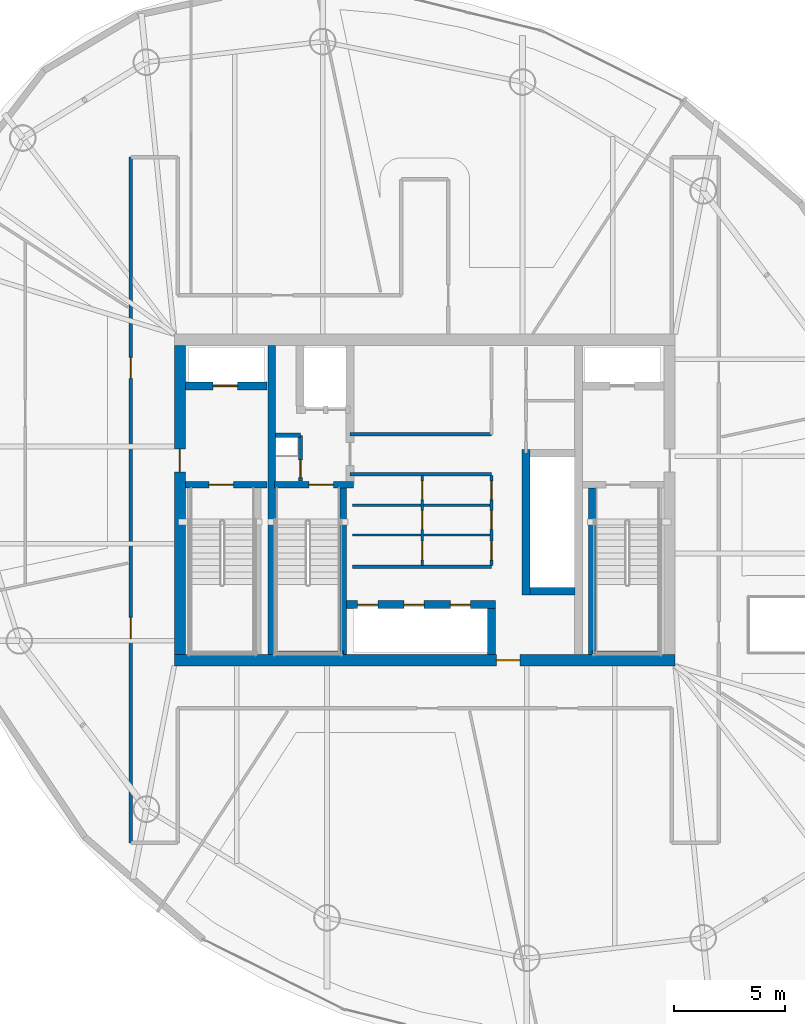
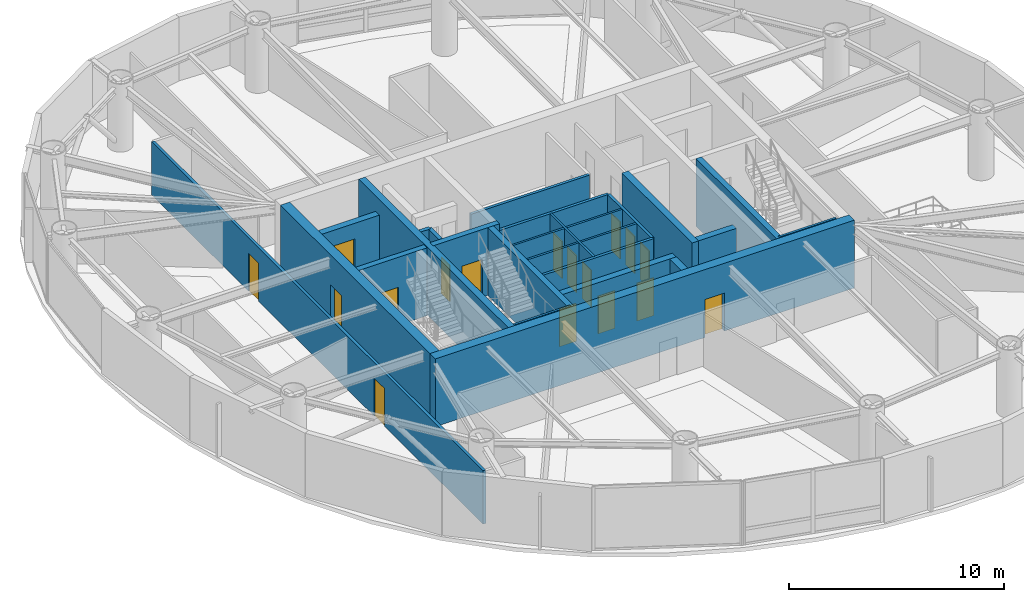
# One storey, part 16 of 22: 24 walls, 17 doors, 17 openings.
"""IFC4 building model written with IfcOpenShell, lengths in metres."""

from ifc_helpers import new_model, si_unit, direction, frame, frame_2d, origin, place, context, subcontext, project, spatial, rectangle, extrude, material, layer, layer_set, type_object, element, fill, save


model = new_model("IFC4")

# Units and contexts
model_context = context("Model", 3, precision=1e-05, world=origin(), true_north=direction((0.0, 1.0)))
body_context = subcontext(model_context, "Body", "Model", "MODEL_VIEW")
ifc_project = project(units=[si_unit("LENGTHUNIT", "METRE"), si_unit("AREAUNIT", "SQUARE_METRE"), si_unit("VOLUMEUNIT", "CUBIC_METRE"), si_unit("PLANEANGLEUNIT", "RADIAN"), si_unit("MASSUNIT", "GRAM", prefix="KILO")], contexts=[model_context])

# Site, building, storey
site_placement = place(None, origin())
site = spatial("IfcSite", under=ifc_project, at=site_placement, CompositionType="ELEMENT")
building_placement = place(site_placement, origin())
building = spatial("IfcBuilding", under=site, at=building_placement, Name="Bramvorn Convention Spire", CompositionType="ELEMENT")
storey_placement = place(building_placement, frame((0.0, 0.0, 225.10009765625)))
storey = spatial("IfcBuildingStorey", under=building, at=storey_placement, Name="L57", CompositionType="ELEMENT", Elevation=225.10009765625)

# Wall, opening, door
ifc_material_1 = material(Name="Concrete C50/60", Category="concrete")
ifc_layer_1 = layer(ifc_material_1, 0.5)
ifc_layer_set_1 = layer_set([ifc_layer_1], Name="Concrete C50/60 - WL-CORE-500")
wall_type_1 = type_object("IfcWallType", Name="WL-CORE-500", PredefinedType="SHEAR", material=ifc_layer_set_1)
wall_1_placement = place(storey_placement, frame((26.75, 18.800048828125, 0.0), z_axis=(0.0, 0.0, 1.0), x_axis=(1.0, 0.0, 0.0)))
wall_1 = element("IfcWall", 1, at=wall_1_placement, inside=storey, type_object=wall_type_1, Name="L57 South RC core shear wall", PredefinedType="SHEAR", context=body_context, shape_type="SweptSolid", body=[
    extrude(rectangle(XDim=22.5, YDim=0.5, at=frame_2d((11.25, 0.0))), origin(), (0.0, 0.0, 1.0), 3.849853515625),
])
opening_1_placement = place(wall_1_placement, frame((14.469970703125, 0.0, 0.0)))
opening_1 = element("IfcOpeningElement", 2, at=opening_1_placement, cuts=wall_1, Name="Opening DL-105", PredefinedType="OPENING", context=body_context, shape_type="SweptSolid", body=[
    extrude(rectangle(XDim=1.050048828125, YDim=2.14990234375, at=frame_2d((0.52490234375, 1.074951171875))), frame((0.0, 0.260009765625, 0.0), z_axis=(0.0, -1.0, 0.0), x_axis=(1.0, 0.0, 0.0)), (0.0, 0.0, 1.0), 0.52001953125),
])
ifc_material_2 = material(Name="Smoke-Sealed Fire Lobby Timber-Core Door", Category="wood")
door_type_1 = type_object("IfcDoorType", Name="DR-LOBBY-1050", OperationType="NOTDEFINED", PredefinedType="DOOR", material=ifc_material_2)
door_1_placement = place(opening_1_placement, origin())
door_1 = element("IfcDoor", 3, at=door_1_placement, inside=storey, type_object=door_type_1, Name="L57 South Lift Lobby fire door", OperationType="SINGLE_SWING_RIGHT", OverallHeight=2.14990234375, OverallWidth=1.050048828125, PredefinedType="DOOR", context=body_context, shape_type="SweptSolid", body=[
    extrude(rectangle(XDim=1.050048828125, YDim=2.14990234375, at=frame_2d((0.52490234375, 1.074951171875))), frame((0.0, 0.02490234375, 0.0), z_axis=(0.0, -1.0, 0.0), x_axis=(1.0, 0.0, 0.0)), (0.0, 0.0, 1.0), 0.050048828125),
])
fill(opening_1, door_1)

wall_2_placement = place(storey_placement, frame((27.0, 19.050048828125, 0.0), z_axis=(0.0, 0.0, 1.0), x_axis=(0.0, 1.0, 0.0)))
wall_2 = element("IfcWall", 4, at=wall_2_placement, inside=storey, type_object=wall_type_1, Name="L57 West RC core shear wall", PredefinedType="SHEAR", context=body_context, shape_type="SweptSolid", body=[
    extrude(rectangle(XDim=13.89990234375, YDim=0.5, at=frame_2d((6.949951171875, 0.0))), origin(), (0.0, 0.0, 1.0), 3.849853515625),
])
opening_2_placement = place(wall_2_placement, frame((8.199951171875, 0.0, 0.0)))
opening_2 = element("IfcOpeningElement", 5, at=opening_2_placement, cuts=wall_2, Name="Opening DL-105", PredefinedType="OPENING", context=body_context, shape_type="SweptSolid", body=[
    extrude(rectangle(XDim=1.050048828125, YDim=2.14990234375, at=frame_2d((0.52490234375, 1.074951171875))), frame((0.0, 0.260009765625, 0.0), z_axis=(0.0, -1.0, 0.0), x_axis=(1.0, 0.0, 0.0)), (0.0, 0.0, 1.0), 0.52001953125),
])
door_2_placement = place(opening_2_placement, origin())
door_2 = element("IfcDoor", 6, at=door_2_placement, inside=storey, type_object=door_type_1, Name="L57 West Firefighting Lobby corridor door", OperationType="SINGLE_SWING_RIGHT", OverallHeight=2.14990234375, OverallWidth=1.050048828125, PredefinedType="DOOR", context=body_context, shape_type="SweptSolid", body=[
    extrude(rectangle(XDim=1.050048828125, YDim=2.14990234375, at=frame_2d((0.52490234375, 1.074951171875))), frame((0.0, 0.02490234375, 0.0), z_axis=(0.0, -1.0, 0.0), x_axis=(1.0, 0.0, 0.0)), (0.0, 0.0, 1.0), 0.050048828125),
])
fill(opening_2, door_2)

# Wall
ifc_layer_2 = layer(ifc_material_1, 0.35009765625)
ifc_layer_set_2 = layer_set([ifc_layer_2], Name="Concrete C50/60 - WL-CORE-INT-350")
wall_type_2 = type_object("IfcWallType", Name="WL-CORE-INT-350", PredefinedType="SHEAR", material=ifc_layer_set_2)
wall_3_placement = place(storey_placement, frame((31.1298828125, 19.050048828125, 0.0), z_axis=(0.0, 0.0, 1.0), x_axis=(0.0, 1.0, 0.0)))
element("IfcWall", 7, at=wall_3_placement, inside=storey, type_object=wall_type_2, Name="L57 West internal core shear web", PredefinedType="SHEAR", context=body_context, shape_type="SweptSolid", body=[
    extrude(rectangle(XDim=13.89990234375, YDim=0.35009765625, at=frame_2d((6.949951171875, 0.0))), origin(), (0.0, 0.0, 1.0), 3.849853515625),
])

# Wall, opening, door
wall_4_placement = place(storey_placement, frame((27.25, 31.1201171875, 0.0), z_axis=(0.0, 0.0, 1.0), x_axis=(1.0, 0.0, 0.0)))
wall_4 = element("IfcWall", 8, at=wall_4_placement, inside=storey, type_object=wall_type_2, Name="L57 FE1 shaft front wall", PredefinedType="SHEAR", context=body_context, shape_type="SweptSolid", body=[
    extrude(rectangle(XDim=3.669921875, YDim=0.35009765625, at=frame_2d((1.8349609375, 0.0))), origin(), (0.0, 0.0, 1.0), 3.034912109375),
])
opening_3_placement = place(wall_4_placement, frame((1.25, 0.0, 0.0)))
opening_3 = element("IfcOpeningElement", 9, at=opening_3_placement, cuts=wall_4, Name="Opening LD-110", PredefinedType="OPENING", context=body_context, shape_type="SweptSolid", body=[
    extrude(rectangle(XDim=1.10009765625, YDim=2.14990234375, at=frame_2d((0.550048828125, 1.074951171875))), frame((0.0, 0.18505859375, 0.0), z_axis=(0.0, -1.0, 0.0), x_axis=(1.0, 0.0, 0.0)), (0.0, 0.0, 1.0), 0.3701171875),
])
ifc_material_3 = material(Name="Firefighting & Service Lift Sliding Landing Door", Category="steel")
door_type_2 = type_object("IfcDoorType", Name="DR-LIFT-LD-1100", OperationType="NOTDEFINED", PredefinedType="DOOR", material=ifc_material_3)
door_3_placement = place(opening_3_placement, origin())
door_3 = element("IfcDoor", 10, at=door_3_placement, inside=storey, type_object=door_type_2, Name="L57 Lift FE1 Sliding Landing Door", OperationType="SLIDING_TO_LEFT", OverallHeight=2.14990234375, OverallWidth=1.10009765625, PredefinedType="DOOR", context=body_context, shape_type="SweptSolid", body=[
    extrude(rectangle(XDim=1.10009765625, YDim=2.14990234375, at=frame_2d((0.550048828125, 1.074951171875))), frame((0.0, 0.02490234375, 0.0), z_axis=(0.0, -1.0, 0.0), x_axis=(1.0, 0.0, 0.0)), (0.0, 0.0, 1.0), 0.050048828125),
])
fill(opening_3, door_3)

# Walls
wall_5_placement = place(storey_placement, frame((42.550048828125, 21.72998046875, 0.0), z_axis=(0.0, 0.0, 1.0), x_axis=(0.0, 1.0, 0.0)))
element("IfcWall", 11, at=wall_5_placement, inside=storey, type_object=wall_type_2, Name="L57 High-rise lift bank west wall", PredefinedType="SHEAR", context=body_context, shape_type="SweptSolid", body=[
    extrude(rectangle(XDim=6.5400390625, YDim=0.35009765625, at=frame_2d((3.27001953125, 0.0))), origin(), (0.0, 0.0, 1.0), 3.034912109375),
])
wall_6_placement = place(storey_placement, frame((42.719970703125, 21.89990234375, 0.0), z_axis=(0.0, 0.0, 1.0), x_axis=(1.0, 0.0, 0.0)))
element("IfcWall", 12, at=wall_6_placement, inside=storey, type_object=wall_type_2, Name="L57 High-rise lift bank south wall", PredefinedType="SHEAR", context=body_context, shape_type="SweptSolid", body=[
    extrude(rectangle(XDim=2.030029296875, YDim=0.35009765625, at=frame_2d((1.01513671875, 0.0))), origin(), (0.0, 0.0, 1.0), 3.034912109375),
])

# Wall, openings, doors
wall_7_placement = place(storey_placement, frame((34.489990234375, 21.300048828125, 0.0), z_axis=(0.0, 0.0, 1.0), x_axis=(1.0, 0.0, 0.0)))
wall_7 = element("IfcWall", 13, at=wall_7_placement, inside=storey, type_object=wall_type_2, Name="L57 Mid-rise bank north landing wall", PredefinedType="SHEAR", context=body_context, shape_type="SweptSolid", body=[
    extrude(rectangle(XDim=6.679931640625, YDim=0.35009765625, at=frame_2d((3.33984375, 0.0))), origin(), (0.0, 0.0, 1.0), 3.034912109375),
])
opening_4_placement = place(wall_7_placement, frame((0.5, 0.0, 0.0)))
opening_4 = element("IfcOpeningElement", 14, at=opening_4_placement, cuts=wall_7, Name="Opening LD-090", PredefinedType="OPENING", context=body_context, shape_type="SweptSolid", body=[
    extrude(rectangle(XDim=0.89990234375, YDim=2.14990234375, at=frame_2d((0.449951171875, 1.074951171875))), frame((0.0, 0.18505859375, 0.0), z_axis=(0.0, -1.0, 0.0), x_axis=(1.0, 0.0, 0.0)), (0.0, 0.0, 1.0), 0.3701171875),
])
opening_5_placement = place(wall_7_placement, frame((2.580078125, 0.0, 0.0)))
opening_5 = element("IfcOpeningElement", 15, at=opening_5_placement, cuts=wall_7, Name="Opening LD-090", PredefinedType="OPENING", context=body_context, shape_type="SweptSolid", body=[
    extrude(rectangle(XDim=0.89990234375, YDim=2.14990234375, at=frame_2d((0.449951171875, 1.074951171875))), frame((0.0, 0.18505859375, 0.0), z_axis=(0.0, -1.0, 0.0), x_axis=(1.0, 0.0, 0.0)), (0.0, 0.0, 1.0), 0.3701171875),
])
opening_6_placement = place(wall_7_placement, frame((4.659912109375, 0.0, 0.0)))
opening_6 = element("IfcOpeningElement", 16, at=opening_6_placement, cuts=wall_7, Name="Opening LD-090", PredefinedType="OPENING", context=body_context, shape_type="SweptSolid", body=[
    extrude(rectangle(XDim=0.89990234375, YDim=2.14990234375, at=frame_2d((0.449951171875, 1.074951171875))), frame((0.0, 0.18505859375, 0.0), z_axis=(0.0, -1.0, 0.0), x_axis=(1.0, 0.0, 0.0)), (0.0, 0.0, 1.0), 0.3701171875),
])
ifc_material_4 = material(Name="Bi-Parting Fire-Rated Lift Landing Door", Category="steel")
door_type_3 = type_object("IfcDoorType", Name="DR-LIFT-LD-900", OperationType="NOTDEFINED", PredefinedType="DOOR", material=ifc_material_4)
door_4_placement = place(opening_4_placement, origin())
door_4 = element("IfcDoor", 17, at=door_4_placement, inside=storey, type_object=door_type_3, Name="L57 Lift PM1 Sliding Landing Door", OperationType="SLIDING_TO_LEFT", OverallHeight=2.14990234375, OverallWidth=0.89990234375, PredefinedType="DOOR", context=body_context, shape_type="SweptSolid", body=[
    extrude(rectangle(XDim=0.89990234375, YDim=2.14990234375, at=frame_2d((0.449951171875, 1.074951171875))), frame((0.0, 0.02490234375, 0.0), z_axis=(0.0, -1.0, 0.0), x_axis=(1.0, 0.0, 0.0)), (0.0, 0.0, 1.0), 0.050048828125),
])
fill(opening_4, door_4)
door_5_placement = place(opening_5_placement, origin())
door_5 = element("IfcDoor", 18, at=door_5_placement, inside=storey, type_object=door_type_3, Name="L57 Lift PM2 Sliding Landing Door", OperationType="SLIDING_TO_LEFT", OverallHeight=2.14990234375, OverallWidth=0.89990234375, PredefinedType="DOOR", context=body_context, shape_type="SweptSolid", body=[
    extrude(rectangle(XDim=0.89990234375, YDim=2.14990234375, at=frame_2d((0.449951171875, 1.074951171875))), frame((0.0, 0.02490234375, 0.0), z_axis=(0.0, -1.0, 0.0), x_axis=(1.0, 0.0, 0.0)), (0.0, 0.0, 1.0), 0.050048828125),
])
fill(opening_5, door_5)
door_6_placement = place(opening_6_placement, origin())
door_6 = element("IfcDoor", 19, at=door_6_placement, inside=storey, type_object=door_type_3, Name="L57 Lift PM3 Sliding Landing Door", OperationType="SLIDING_TO_LEFT", OverallHeight=2.14990234375, OverallWidth=0.89990234375, PredefinedType="DOOR", context=body_context, shape_type="SweptSolid", body=[
    extrude(rectangle(XDim=0.89990234375, YDim=2.14990234375, at=frame_2d((0.449951171875, 1.074951171875))), frame((0.0, 0.02490234375, 0.0), z_axis=(0.0, -1.0, 0.0), x_axis=(1.0, 0.0, 0.0)), (0.0, 0.0, 1.0), 0.050048828125),
])
fill(opening_6, door_6)

# Wall
wall_8_placement = place(storey_placement, frame((41.0, 19.050048828125, 0.0), z_axis=(0.0, 0.0, 1.0), x_axis=(0.0, 1.0, 0.0)))
element("IfcWall", 20, at=wall_8_placement, inside=storey, type_object=wall_type_2, Name="L57 Mid-rise bank east cheek wall", PredefinedType="SHEAR", context=body_context, shape_type="SweptSolid", body=[
    extrude(rectangle(XDim=2.079833984375, YDim=0.35009765625, at=frame_2d((1.0400390625, 0.0))), origin(), (0.0, 0.0, 1.0), 3.034912109375),
])

# Wall, openings, doors
ifc_material_5 = material(Name="Lightweight En-Suite & Wet-Wall Partition", Category="gypsum")
ifc_layer_3 = layer(ifc_material_5, 0.110107421875)
ifc_layer_set_3 = layer_set([ifc_layer_3], Name="Lightweight En-Suite & Wet-Wall Partition - WL-PART-110")
wall_type_3 = type_object("IfcWallType", Name="WL-PART-110", PredefinedType="PARTITIONING", material=ifc_layer_set_3)
wall_9_placement = place(storey_placement, frame((37.8798828125, 23.050048828125, 0.0), z_axis=(0.0, 0.0, 1.0), x_axis=(0.0, 1.0, 0.0)))
wall_9 = element("IfcWall", 21, at=wall_9_placement, inside=storey, type_object=wall_type_3, Name="L57 KB center wall", PredefinedType="PARTITIONING", context=body_context, shape_type="SweptSolid", body=[
    extrude(rectangle(XDim=4.050048828125, YDim=0.110107421875, at=frame_2d((2.02490234375, 0.0))), origin(), (0.0, 0.0, 1.0), 3.034912109375),
])
opening_7_placement = place(wall_9_placement, frame((0.25, 0.0, 0.0)))
opening_7 = element("IfcOpeningElement", 22, at=opening_7_placement, cuts=wall_9, Name="Opening DC-085", PredefinedType="OPENING", context=body_context, shape_type="SweptSolid", body=[
    extrude(rectangle(XDim=0.85009765625, YDim=2.10009765625, at=frame_2d((0.425048828125, 1.050048828125))), frame((0.0, 0.06494140625, 0.0), z_axis=(0.0, -1.0, 0.0), x_axis=(1.0, 0.0, 0.0)), (0.0, 0.0, 1.0), 0.130126953125),
])
opening_8_placement = place(wall_9_placement, frame((1.626953125, 0.0, 0.0)))
opening_8 = element("IfcOpeningElement", 23, at=opening_8_placement, cuts=wall_9, Name="Opening DC-085", PredefinedType="OPENING", context=body_context, shape_type="SweptSolid", body=[
    extrude(rectangle(XDim=0.85009765625, YDim=2.10009765625, at=frame_2d((0.425048828125, 1.050048828125))), frame((0.0, 0.06494140625, 0.0), z_axis=(0.0, -1.0, 0.0), x_axis=(1.0, 0.0, 0.0)), (0.0, 0.0, 1.0), 0.130126953125),
])
opening_9_placement = place(wall_9_placement, frame((2.96337890625, 0.0, 0.0)))
opening_9 = element("IfcOpeningElement", 24, at=opening_9_placement, cuts=wall_9, Name="Opening DC-085", PredefinedType="OPENING", context=body_context, shape_type="SweptSolid", body=[
    extrude(rectangle(XDim=0.85009765625, YDim=2.10009765625, at=frame_2d((0.425048828125, 1.050048828125))), frame((0.0, 0.06494140625, 0.0), z_axis=(0.0, -1.0, 0.0), x_axis=(1.0, 0.0, 0.0)), (0.0, 0.0, 1.0), 0.130126953125),
])
ifc_material_6 = material(Name="Fire-Rated Core Washroom & IDF Door", Category="wood")
door_type_4 = type_object("IfcDoorType", Name="DR-CORE-850", OperationType="NOTDEFINED", PredefinedType="DOOR", material=ifc_material_6)
door_7_placement = place(opening_7_placement, origin())
door_7 = element("IfcDoor", 25, at=door_7_placement, inside=storey, type_object=door_type_4, Name="L57 Core Linen Store door", OperationType="SINGLE_SWING_LEFT", OverallHeight=2.10009765625, OverallWidth=0.85009765625, PredefinedType="DOOR", context=body_context, shape_type="SweptSolid", body=[
    extrude(rectangle(XDim=0.85009765625, YDim=2.10009765625, at=frame_2d((0.425048828125, 1.050048828125))), frame((0.0, 0.02490234375, 0.0), z_axis=(0.0, -1.0, 0.0), x_axis=(1.0, 0.0, 0.0)), (0.0, 0.0, 1.0), 0.050048828125),
])
fill(opening_7, door_7)
door_8_placement = place(opening_8_placement, origin())
door_8 = element("IfcDoor", 26, at=door_8_placement, inside=storey, type_object=door_type_4, Name="L57 Core Metering Closet door", OperationType="SINGLE_SWING_LEFT", OverallHeight=2.10009765625, OverallWidth=0.85009765625, PredefinedType="DOOR", context=body_context, shape_type="SweptSolid", body=[
    extrude(rectangle(XDim=0.85009765625, YDim=2.10009765625, at=frame_2d((0.425048828125, 1.050048828125))), frame((0.0, 0.02490234375, 0.0), z_axis=(0.0, -1.0, 0.0), x_axis=(1.0, 0.0, 0.0)), (0.0, 0.0, 1.0), 0.050048828125),
])
fill(opening_8, door_8)
door_9_placement = place(opening_9_placement, origin())
door_9 = element("IfcDoor", 27, at=door_9_placement, inside=storey, type_object=door_type_4, Name="L57 Core Janitor Supply door", OperationType="SINGLE_SWING_LEFT", OverallHeight=2.10009765625, OverallWidth=0.85009765625, PredefinedType="DOOR", context=body_context, shape_type="SweptSolid", body=[
    extrude(rectangle(XDim=0.85009765625, YDim=2.10009765625, at=frame_2d((0.425048828125, 1.050048828125))), frame((0.0, 0.02490234375, 0.0), z_axis=(0.0, -1.0, 0.0), x_axis=(1.0, 0.0, 0.0)), (0.0, 0.0, 1.0), 0.050048828125),
])
fill(opening_9, door_9)

# Walls
for number, where, z_axis, x_axis, name in (
    (28, (34.75, 24.427001953125, 0.0), (0.0, 0.0, 1.0), (1.0, 0.0, 0.0), "L57 KB divider 1"),
    (29, (34.75, 25.763427734375, 0.0), (0.0, 0.0, 1.0), (1.0, 0.0, 0.0), "L57 KB divider 2"),
):
    element("IfcWall", number, at=place(storey_placement, frame(where, z_axis=z_axis, x_axis=x_axis)), inside=storey, type_object=wall_type_3, Name=name, PredefinedType="PARTITIONING", context=body_context, shape_type="SweptSolid", body=[
        extrude(rectangle(XDim=6.25, YDim=0.110107421875, at=frame_2d((3.125, 0.0))), origin(), (0.0, 0.0, 1.0), 3.034912109375),
    ])
ifc_material_7 = material(Name="Acoustic Metal-Stud Tenant/Corridor Partition", Category="gypsum")
ifc_layer_4 = layer(ifc_material_7, 0.14990234375)
ifc_layer_set_4 = layer_set([ifc_layer_4], Name="Acoustic Metal-Stud Tenant/Corridor Partition - WL-PART-150")
wall_type_4 = type_object("IfcWallType", Name="WL-PART-150", PredefinedType="PARTITIONING", material=ifc_layer_set_4)
wall_10_placement = place(storey_placement, frame((34.75, 23.0, 0.0), z_axis=(0.0, 0.0, 1.0), x_axis=(1.0, 0.0, 0.0)))
element("IfcWall", 30, at=wall_10_placement, inside=storey, type_object=wall_type_4, Name="L57 Mid-rise lift vestibule north wall", PredefinedType="PARTITIONING", context=body_context, shape_type="SweptSolid", body=[
    extrude(rectangle(XDim=6.25, YDim=0.14990234375, at=frame_2d((3.125, 0.0))), origin(), (0.0, 0.0, 1.0), 3.034912109375),
])
for number, where, z_axis, x_axis, name in (
    (31, (34.639892578125, 27.14990234375, 0.0), (0.0, 0.0, 1.0), (1.0, 0.0, 0.0), "L57 Cross-core passage south wall"),
    (32, (34.639892578125, 28.949951171875, 0.0), (0.0, 0.0, 1.0), (1.0, 0.0, 0.0), "L57 Cross-core passage north wall"),
):
    element("IfcWall", number, at=place(storey_placement, frame(where, z_axis=z_axis, x_axis=x_axis)), inside=storey, type_object=wall_type_4, Name=name, PredefinedType="PARTITIONING", context=body_context, shape_type="SweptSolid", body=[
        extrude(rectangle(XDim=6.360107421875, YDim=0.14990234375, at=frame_2d((3.18017578125, 0.0))), origin(), (0.0, 0.0, 1.0), 3.034912109375),
    ])

# Wall, openings, doors
wall_11_placement = place(storey_placement, frame((41.0, 23.050048828125, 0.0), z_axis=(0.0, 0.0, 1.0), x_axis=(0.0, 1.0, 0.0)))
wall_11 = element("IfcWall", 33, at=wall_11_placement, inside=storey, type_object=wall_type_4, Name="L57 KB east core wall", PredefinedType="PARTITIONING", context=body_context, shape_type="SweptSolid", body=[
    extrude(rectangle(XDim=4.050048828125, YDim=0.14990234375, at=frame_2d((2.02490234375, 0.0))), origin(), (0.0, 0.0, 1.0), 3.034912109375),
])
opening_10_placement = place(wall_11_placement, frame((0.25, 0.0, 0.0)))
opening_10 = element("IfcOpeningElement", 34, at=opening_10_placement, cuts=wall_11, Name="Opening DC-085", PredefinedType="OPENING", context=body_context, shape_type="SweptSolid", body=[
    extrude(rectangle(XDim=0.85009765625, YDim=2.10009765625, at=frame_2d((0.425048828125, 1.050048828125))), frame((0.0, 0.0849609375, 0.0), z_axis=(0.0, -1.0, 0.0), x_axis=(1.0, 0.0, 0.0)), (0.0, 0.0, 1.0), 0.169921875),
])
opening_11_placement = place(wall_11_placement, frame((1.626953125, 0.0, 0.0)))
opening_11 = element("IfcOpeningElement", 35, at=opening_11_placement, cuts=wall_11, Name="Opening DC-085", PredefinedType="OPENING", context=body_context, shape_type="SweptSolid", body=[
    extrude(rectangle(XDim=0.85009765625, YDim=2.10009765625, at=frame_2d((0.425048828125, 1.050048828125))), frame((0.0, 0.0849609375, 0.0), z_axis=(0.0, -1.0, 0.0), x_axis=(1.0, 0.0, 0.0)), (0.0, 0.0, 1.0), 0.169921875),
])
opening_12_placement = place(wall_11_placement, frame((2.96337890625, 0.0, 0.0)))
opening_12 = element("IfcOpeningElement", 36, at=opening_12_placement, cuts=wall_11, Name="Opening DC-085", PredefinedType="OPENING", context=body_context, shape_type="SweptSolid", body=[
    extrude(rectangle(XDim=0.85009765625, YDim=2.10009765625, at=frame_2d((0.425048828125, 1.050048828125))), frame((0.0, 0.0849609375, 0.0), z_axis=(0.0, -1.0, 0.0), x_axis=(1.0, 0.0, 0.0)), (0.0, 0.0, 1.0), 0.169921875),
])
door_10_placement = place(opening_10_placement, origin())
door_10 = element("IfcDoor", 37, at=door_10_placement, inside=storey, type_object=door_type_4, Name="L57 Accessible Core Restroom door", OperationType="SINGLE_SWING_LEFT", OverallHeight=2.10009765625, OverallWidth=0.85009765625, PredefinedType="DOOR", context=body_context, shape_type="SweptSolid", body=[
    extrude(rectangle(XDim=0.85009765625, YDim=2.10009765625, at=frame_2d((0.425048828125, 1.050048828125))), frame((0.0, 0.02490234375, 0.0), z_axis=(0.0, -1.0, 0.0), x_axis=(1.0, 0.0, 0.0)), (0.0, 0.0, 1.0), 0.050048828125),
])
fill(opening_10, door_10)
door_11_placement = place(opening_11_placement, origin())
door_11 = element("IfcDoor", 38, at=door_11_placement, inside=storey, type_object=door_type_4, Name="L57 Tenant Pantry & Copy Centre door", OperationType="SINGLE_SWING_LEFT", OverallHeight=2.10009765625, OverallWidth=0.85009765625, PredefinedType="DOOR", context=body_context, shape_type="SweptSolid", body=[
    extrude(rectangle(XDim=0.85009765625, YDim=2.10009765625, at=frame_2d((0.425048828125, 1.050048828125))), frame((0.0, 0.02490234375, 0.0), z_axis=(0.0, -1.0, 0.0), x_axis=(1.0, 0.0, 0.0)), (0.0, 0.0, 1.0), 0.050048828125),
])
fill(opening_11, door_11)
door_12_placement = place(opening_12_placement, origin())
door_12 = element("IfcDoor", 39, at=door_12_placement, inside=storey, type_object=door_type_4, Name="L57 Gender-Neutral Core WC door", OperationType="SINGLE_SWING_LEFT", OverallHeight=2.10009765625, OverallWidth=0.85009765625, PredefinedType="DOOR", context=body_context, shape_type="SweptSolid", body=[
    extrude(rectangle(XDim=0.85009765625, YDim=2.10009765625, at=frame_2d((0.425048828125, 1.050048828125))), frame((0.0, 0.02490234375, 0.0), z_axis=(0.0, -1.0, 0.0), x_axis=(1.0, 0.0, 0.0)), (0.0, 0.0, 1.0), 0.050048828125),
])
fill(opening_12, door_12)

wall_12_placement = place(storey_placement, frame((24.800048828125, 10.60009765625, 0.0), z_axis=(0.0, 0.0, 1.0), x_axis=(0.0, 1.0, 0.0)))
wall_12 = element("IfcWall", 40, at=wall_12_placement, inside=storey, type_object=wall_type_4, Name="L57 West N-S gallery outer wall", PredefinedType="PARTITIONING", context=body_context, shape_type="SweptSolid", body=[
    extrude(rectangle(XDim=30.7998046875, YDim=0.14990234375, at=frame_2d((15.39990234375, 0.0))), origin(), (0.0, 0.0, 1.0), 3.034912109375),
])
opening_13_placement = place(wall_12_placement, frame((20.8583984375, 0.0, 0.0)))
opening_13 = element("IfcOpeningElement", 41, at=opening_13_placement, cuts=wall_12, Name="Opening DH-095", PredefinedType="OPENING", context=body_context, shape_type="SweptSolid", body=[
    extrude(rectangle(XDim=0.949951171875, YDim=2.14990234375, at=frame_2d((0.47509765625, 1.074951171875))), frame((0.0, 0.0849609375, 0.0), z_axis=(0.0, -1.0, 0.0), x_axis=(1.0, 0.0, 0.0)), (0.0, 0.0, 1.0), 0.169921875),
])
opening_14_placement = place(wall_12_placement, frame((9.174072265625, 0.0, 0.0)))
opening_14 = element("IfcOpeningElement", 42, at=opening_14_placement, cuts=wall_12, Name="Opening DH-095", PredefinedType="OPENING", context=body_context, shape_type="SweptSolid", body=[
    extrude(rectangle(XDim=0.949951171875, YDim=2.14990234375, at=frame_2d((0.47509765625, 1.074951171875))), frame((0.0, 0.0849609375, 0.0), z_axis=(0.0, -1.0, 0.0), x_axis=(1.0, 0.0, 0.0)), (0.0, 0.0, 1.0), 0.169921875),
])
ifc_material_8 = material(Name="Solid-Core Acoustic Guestroom Entry Door", Category="wood")
door_type_5 = type_object("IfcDoorType", Name="DR-HOTEL-950", OperationType="NOTDEFINED", PredefinedType="DOOR", material=ifc_material_8)
door_13_placement = place(opening_13_placement, origin())
door_13 = element("IfcDoor", 43, at=door_13_placement, inside=storey, type_object=door_type_5, Name="L57 Associate Office Chamber 4 4 door", OperationType="SINGLE_SWING_RIGHT", OverallHeight=2.14990234375, OverallWidth=0.949951171875, PredefinedType="DOOR", context=body_context, shape_type="SweptSolid", body=[
    extrude(rectangle(XDim=0.949951171875, YDim=2.14990234375, at=frame_2d((0.47509765625, 1.074951171875))), frame((0.0, 0.02490234375, 0.0), z_axis=(0.0, -1.0, 0.0), x_axis=(1.0, 0.0, 0.0)), (0.0, 0.0, 1.0), 0.050048828125),
])
fill(opening_13, door_13)
door_14_placement = place(opening_14_placement, origin())
door_14 = element("IfcDoor", 44, at=door_14_placement, inside=storey, type_object=door_type_5, Name="L57 Associate Office Chamber 5 5 door", OperationType="SINGLE_SWING_RIGHT", OverallHeight=2.14990234375, OverallWidth=0.949951171875, PredefinedType="DOOR", context=body_context, shape_type="SweptSolid", body=[
    extrude(rectangle(XDim=0.949951171875, YDim=2.14990234375, at=frame_2d((0.47509765625, 1.074951171875))), frame((0.0, 0.02490234375, 0.0), z_axis=(0.0, -1.0, 0.0), x_axis=(1.0, 0.0, 0.0)), (0.0, 0.0, 1.0), 0.050048828125),
])
fill(opening_14, door_14)

# Wall, opening, door
ifc_material_9 = material(Name="Gypsum Shaftwall & Rockwool Core Partition", Category="gypsum")
ifc_layer_5 = layer(ifc_material_9, 0.199951171875)
ifc_layer_set_5 = layer_set([ifc_layer_5], Name="Gypsum Shaftwall & Rockwool Core Partition - WL-PART-200-FR")
wall_type_5 = type_object("IfcWallType", Name="WL-PART-200-FR", PredefinedType="PARTITIONING", material=ifc_layer_set_5)
wall_13_placement = place(storey_placement, frame((32.419921875, 26.860107421875, 0.0), z_axis=(0.0, 0.0, 1.0), x_axis=(0.0, 1.0, 0.0)))
wall_13 = element("IfcWall", 45, at=wall_13_placement, inside=storey, type_object=wall_type_5, Name="L57 Telecom riser east wall", PredefinedType="PARTITIONING", context=body_context, shape_type="SweptSolid", body=[
    extrude(rectangle(XDim=2.039794921875, YDim=0.199951171875, at=frame_2d((1.02001953125, 0.0))), origin(), (0.0, 0.0, 1.0), 3.034912109375),
])
opening_15_placement = place(wall_13_placement, frame((0.139892578125, 0.0, 0.0)))
opening_15 = element("IfcOpeningElement", 46, at=opening_15_placement, cuts=wall_13, Name="Opening DR-080", PredefinedType="OPENING", context=body_context, shape_type="SweptSolid", body=[
    extrude(rectangle(XDim=0.800048828125, YDim=2.050048828125, at=frame_2d((0.39990234375, 1.02490234375))), frame((0.0, 0.10986328125, 0.0), z_axis=(0.0, -1.0, 0.0), x_axis=(1.0, 0.0, 0.0)), (0.0, 0.0, 1.0), 0.219970703125),
])
ifc_material_10 = material(Name="Flush Steel Riser Access Door", Category="steel")
door_type_6 = type_object("IfcDoorType", Name="DR-RISER-800", OperationType="NOTDEFINED", PredefinedType="DOOR", material=ifc_material_10)
door_15_placement = place(opening_15_placement, origin())
door_15 = element("IfcDoor", 47, at=door_15_placement, inside=storey, type_object=door_type_6, Name="L57 Telecom riser access door", OperationType="SINGLE_SWING_RIGHT", OverallHeight=2.050048828125, OverallWidth=0.800048828125, PredefinedType="DOOR", context=body_context, shape_type="SweptSolid", body=[
    extrude(rectangle(XDim=0.800048828125, YDim=2.050048828125, at=frame_2d((0.39990234375, 1.02490234375))), frame((0.0, 0.02490234375, 0.0), z_axis=(0.0, -1.0, 0.0), x_axis=(1.0, 0.0, 0.0)), (0.0, 0.0, 1.0), 0.050048828125),
])
fill(opening_15, door_15)

# Wall
wall_14_placement = place(storey_placement, frame((31.300048828125, 28.89990234375, 0.0), z_axis=(0.0, 0.0, 1.0), x_axis=(1.0, 0.0, 0.0)))
element("IfcWall", 48, at=wall_14_placement, inside=storey, type_object=wall_type_5, Name="L57 Telecom riser north wall", PredefinedType="PARTITIONING", context=body_context, shape_type="SweptSolid", body=[
    extrude(rectangle(XDim=1.119873046875, YDim=0.199951171875, at=frame_2d((0.56005859375, 0.0))), origin(), (0.0, 0.0, 1.0), 3.034912109375),
])

# Wall, opening, door
ifc_layer_6 = layer(ifc_material_1, 0.300048828125)
ifc_layer_set_6 = layer_set([ifc_layer_6], Name="Concrete C50/60 - WL-POD-STAIR-300")
wall_type_6 = type_object("IfcWallType", Name="WL-POD-STAIR-300", PredefinedType="SHEAR", material=ifc_layer_set_6)
wall_15_placement = place(storey_placement, frame((27.25, 26.68994140625, 0.0), z_axis=(0.0, 0.0, 1.0), x_axis=(1.0, 0.0, 0.0)))
wall_15 = element("IfcWall", 49, at=wall_15_placement, inside=storey, type_object=wall_type_6, Name="L57 ST1 north fire wall", PredefinedType="SHEAR", context=body_context, shape_type="SweptSolid", body=[
    extrude(rectangle(XDim=3.669921875, YDim=0.300048828125, at=frame_2d((1.8349609375, 0.0))), origin(), (0.0, 0.0, 1.0), 3.849853515625),
])
opening_16_placement = place(wall_15_placement, frame((1.050048828125, 0.0, 0.0)))
opening_16 = element("IfcOpeningElement", 50, at=opening_16_placement, cuts=wall_15, Name="Opening DS-110", PredefinedType="OPENING", context=body_context, shape_type="SweptSolid", body=[
    extrude(rectangle(XDim=1.10009765625, YDim=2.14990234375, at=frame_2d((0.550048828125, 1.074951171875))), frame((0.0, 0.159912109375, 0.0), z_axis=(0.0, -1.0, 0.0), x_axis=(1.0, 0.0, 0.0)), (0.0, 0.0, 1.0), 0.320068359375),
])
ifc_material_11 = material(Name="Fire-Rated Hollow Steel Stairwell Door", Category="steel")
door_type_7 = type_object("IfcDoorType", Name="DR-STAIR-1100", OperationType="NOTDEFINED", PredefinedType="DOOR", material=ifc_material_11)
door_16_placement = place(opening_16_placement, origin())
door_16 = element("IfcDoor", 51, at=door_16_placement, inside=storey, type_object=door_type_7, Name="L57 Stair ST1 fire door", OperationType="SINGLE_SWING_LEFT", OverallHeight=2.14990234375, OverallWidth=1.10009765625, PredefinedType="DOOR", context=body_context, shape_type="SweptSolid", body=[
    extrude(rectangle(XDim=1.10009765625, YDim=2.14990234375, at=frame_2d((0.550048828125, 1.074951171875))), frame((0.0, 0.02490234375, 0.0), z_axis=(0.0, -1.0, 0.0), x_axis=(1.0, 0.0, 0.0)), (0.0, 0.0, 1.0), 0.050048828125),
])
fill(opening_16, door_16)

# Walls
for number, where, z_axis, x_axis, name in (
    (52, (45.510009765625, 19.050048828125, 0.0), (0.0, 0.0, 1.0), (0.0, 1.0, 0.0), "L57 ST2 west bearing wall"),
    (53, (34.340087890625, 19.050048828125, 0.0), (0.0, 0.0, 1.0), (0.0, 1.0, 0.0), "L57 ST3 east bearing wall"),
):
    element("IfcWall", number, at=place(storey_placement, frame(where, z_axis=z_axis, x_axis=x_axis)), inside=storey, type_object=wall_type_6, Name=name, PredefinedType="SHEAR", context=body_context, shape_type="SweptSolid", body=[
        extrude(rectangle(XDim=7.5, YDim=0.300048828125, at=frame_2d((3.75, 0.0))), origin(), (0.0, 0.0, 1.0), 3.849853515625),
    ])

# Wall, opening, door
wall_16_placement = place(storey_placement, frame((31.25, 26.68994140625, 0.0), z_axis=(0.0, 0.0, 1.0), x_axis=(1.0, 0.0, 0.0)))
wall_16 = element("IfcWall", 54, at=wall_16_placement, inside=storey, type_object=wall_type_6, Name="L57 ST3 north lobby wall", PredefinedType="SHEAR", context=body_context, shape_type="SweptSolid", body=[
    extrude(rectangle(XDim=3.56005859375, YDim=0.300048828125, at=frame_2d((1.780029296875, 0.0))), origin(), (0.0, 0.0, 1.0), 3.849853515625),
])
opening_17_placement = place(wall_16_placement, frame((1.550048828125, 0.0, 0.0)))
opening_17 = element("IfcOpeningElement", 55, at=opening_17_placement, cuts=wall_16, Name="Opening DS-110", PredefinedType="OPENING", context=body_context, shape_type="SweptSolid", body=[
    extrude(rectangle(XDim=1.10009765625, YDim=2.14990234375, at=frame_2d((0.550048828125, 1.074951171875))), frame((0.0, 0.159912109375, 0.0), z_axis=(0.0, -1.0, 0.0), x_axis=(1.0, 0.0, 0.0)), (0.0, 0.0, 1.0), 0.320068359375),
])
door_17_placement = place(opening_17_placement, origin())
door_17 = element("IfcDoor", 56, at=door_17_placement, inside=storey, type_object=door_type_7, Name="L57 Stair ST3 fire door", OperationType="SINGLE_SWING_LEFT", OverallHeight=2.14990234375, OverallWidth=1.10009765625, PredefinedType="DOOR", context=body_context, shape_type="SweptSolid", body=[
    extrude(rectangle(XDim=1.10009765625, YDim=2.14990234375, at=frame_2d((0.550048828125, 1.074951171875))), frame((0.0, 0.02490234375, 0.0), z_axis=(0.0, -1.0, 0.0), x_axis=(1.0, 0.0, 0.0)), (0.0, 0.0, 1.0), 0.050048828125),
])
fill(opening_17, door_17)

# Walls
ifc_layer_7 = layer(ifc_material_1, 0.1201171875)
ifc_layer_set_7 = layer_set([ifc_layer_7], Name="Concrete C50/60 - WL-STAIR-RC-120")
wall_type_7 = type_object("IfcWallType", Name="WL-STAIR-RC-120", PredefinedType="SHEAR", material=ifc_layer_set_7)
wall_17_placement = place(storey_placement, frame((45.510009765625, 19.159912109375, 0.0), z_axis=(0.0, 0.0, 1.0), x_axis=(1.0, 0.0, 0.0)))
element("IfcWall", 57, at=wall_17_placement, inside=storey, type_object=wall_type_7, Name="L57 ST2 south bearing shear wall", PredefinedType="SHEAR", context=body_context, shape_type="SweptSolid", body=[
    extrude(rectangle(XDim=3.094970703125, YDim=0.1201171875, at=frame_2d((1.54736328125, 0.0))), origin(), (0.0, 0.0, 1.0), 3.849853515625),
])
wall_18_placement = place(storey_placement, frame((31.300048828125, 19.159912109375, 0.0), z_axis=(0.0, 0.0, 1.0), x_axis=(1.0, 0.0, 0.0)))
element("IfcWall", 58, at=wall_18_placement, inside=storey, type_object=wall_type_7, Name="L57 ST3 south bearing shear wall", PredefinedType="SHEAR", context=body_context, shape_type="SweptSolid", body=[
    extrude(rectangle(XDim=3.0400390625, YDim=0.1201171875, at=frame_2d((1.52001953125, 0.0))), origin(), (0.0, 0.0, 1.0), 3.849853515625),
])

save(model, "model.ifc")
